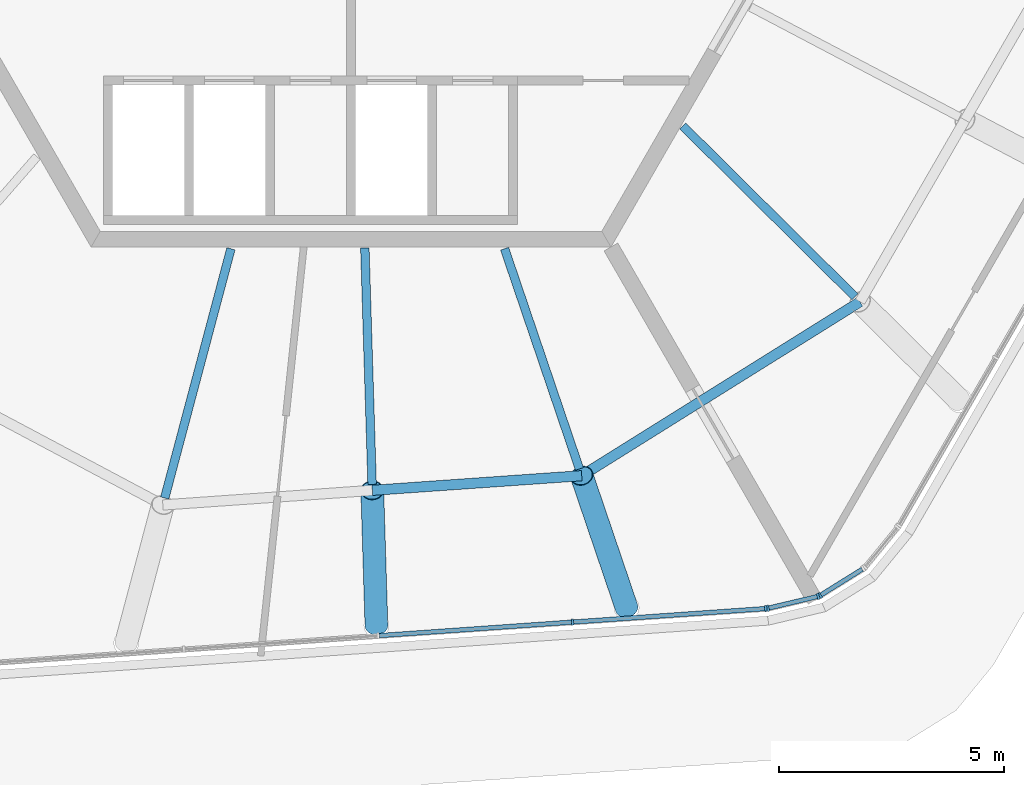
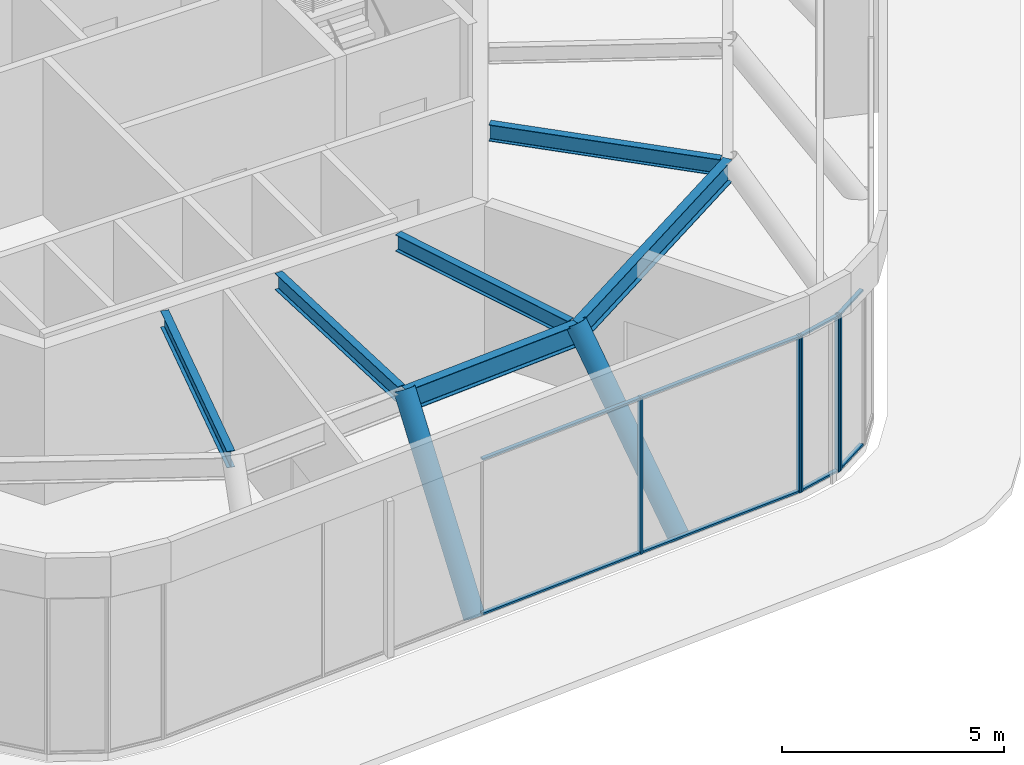
# One storey, part 2 of 12: 15 members, 6 beams, 3 elements without a shape of their own.
"""IFC4 building model written with IfcOpenShell, lengths in metres."""

from ifc_helpers import new_model, si_unit, direction, frame, origin, origin_2d, place, context, subcontext, project, spatial, rectangle, hollow_circle, i_section, extrude, material, material_profile, profile_set, type_object, element, aggregate, save


model = new_model("IFC4")

# Units and contexts
model_context = context("Model", 3, precision=1e-05, world=origin(), true_north=direction((0.0, 1.0)))
body_context = subcontext(model_context, "Body", "Model", "MODEL_VIEW")
ifc_project = project(units=[si_unit("LENGTHUNIT", "METRE"), si_unit("AREAUNIT", "SQUARE_METRE"), si_unit("VOLUMEUNIT", "CUBIC_METRE"), si_unit("PLANEANGLEUNIT", "RADIAN"), si_unit("MASSUNIT", "GRAM", prefix="KILO")], contexts=[model_context])

# Site, building, storey
site_placement = place(None, origin())
site = spatial("IfcSite", under=ifc_project, at=site_placement, CompositionType="ELEMENT")
building_placement = place(site_placement, origin())
building = spatial("IfcBuilding", under=site, at=building_placement, Name="Tarnside Tower", CompositionType="ELEMENT")
storey_placement = place(building_placement, frame((0.0, 0.0, 392.699951171875)))
storey = spatial("IfcBuildingStorey", under=building, at=storey_placement, Name="L93", CompositionType="ELEMENT", Elevation=392.699951171875)

# Curtain wall, member
ifc_material_1 = material(Name="Crown glazing wall", Category="glass")
curtain_wall_type = type_object("IfcCurtainWallType", Name="Crown glazing wall", PredefinedType="NOTDEFINED", material=ifc_material_1)
curtain_wall_1_placement = place(storey_placement, origin())
curtain_wall_1 = element("IfcCurtainWall", 1, at=curtain_wall_1_placement, inside=storey, type_object=curtain_wall_type, Name="Crown glazing L93 10", PredefinedType="NOTDEFINED")
ifc_material_2 = material(Name="Aluminium alloy 6063", Category="aluminium")
ifc_material_profile_1 = material_profile(ifc_material_2, rectangle(XDim=0.139892578125, YDim=0.050048828125, at=origin_2d()), Name="Crown glazing mullion 50 x 140")
ifc_profile_set_1 = profile_set([ifc_material_profile_1], Name="Aluminium alloy 6063")
member_type_1 = type_object("IfcMemberType", Name="Crown glazing mullion 50 x 140", PredefinedType="MULLION", material=ifc_profile_set_1)
member_1_placement = place(storey_placement, frame((10.421630859375, -17.74072265625, 0.0), z_axis=(0.0, 0.0, 1.0), x_axis=(0.5299192641, -0.84804809624, 0.0)))
member_1 = element("IfcMember", 2, at=member_1_placement, type_object=member_type_1, Name="CW6 mullion 2", PredefinedType="MULLION", context=body_context, shape_type="SweptSolid", body=[
    extrude(rectangle(XDim=0.139892578125, YDim=0.050048828125, at=origin_2d()), origin(), (0.0, 0.0, 1.0), 4.300048828125),
])

# Curtain wall, members
curtain_wall_2_placement = place(storey_placement, origin())
curtain_wall_2 = element("IfcCurtainWall", 3, at=curtain_wall_2_placement, inside=storey, type_object=curtain_wall_type, Name="Crown glazing L93 11", PredefinedType="NOTDEFINED")
member_2_placement = place(storey_placement, frame((10.3759765625, -17.759765625, 0.0), z_axis=(0.0, 0.0, 1.0), x_axis=(0.230615871195, -0.973044870472, 0.0)))
member_2 = element("IfcMember", 4, at=member_2_placement, type_object=member_type_1, Name="CW6 mullion 1", PredefinedType="MULLION", context=body_context, shape_type="SweptSolid", body=[
    extrude(rectangle(XDim=0.139892578125, YDim=0.050048828125, at=origin_2d()), origin(), (0.0, 0.0, 1.0), 4.300048828125),
])
member_3_placement = place(storey_placement, frame((9.26220703125, -18.023681640625, 0.0), z_axis=(0.0, 0.0, 1.0), x_axis=(0.230615871195, -0.973044870472, 0.0)))
member_3 = element("IfcMember", 5, at=member_3_placement, type_object=member_type_1, Name="CW6 mullion 2", PredefinedType="MULLION", context=body_context, shape_type="SweptSolid", body=[
    extrude(rectangle(XDim=0.139892578125, YDim=0.050048828125, at=origin_2d()), origin(), (0.0, 0.0, 1.0), 4.300048828125),
])

curtain_wall_3_placement = place(storey_placement, origin())
curtain_wall_3 = element("IfcCurtainWall", 6, at=curtain_wall_3_placement, inside=storey, type_object=curtain_wall_type, Name="Crown glazing L93 12", PredefinedType="NOTDEFINED")
member_4_placement = place(storey_placement, frame((9.212890625, -18.03125, 0.0), z_axis=(0.0, 0.0, 1.0), x_axis=(0.069756473727, -0.997564050261, 0.0)))
member_4 = element("IfcMember", 7, at=member_4_placement, type_object=member_type_1, Name="CW6 mullion 1", PredefinedType="MULLION", context=body_context, shape_type="SweptSolid", body=[
    extrude(rectangle(XDim=0.139892578125, YDim=0.050048828125, at=origin_2d()), origin(), (0.0, 0.0, 1.0), 4.300048828125),
])
member_5_placement = place(storey_placement, frame((4.9208984375, -18.331298828125, 0.0), z_axis=(0.0, 0.0, 1.0), x_axis=(0.069756473727, -0.997564050261, 0.0)))
member_5 = element("IfcMember", 8, at=member_5_placement, type_object=member_type_1, Name="CW6 mullion 2", PredefinedType="MULLION", context=body_context, shape_type="SweptSolid", body=[
    extrude(rectangle(XDim=0.139892578125, YDim=0.050048828125, at=origin_2d()), origin(), (0.0, 0.0, 1.0), 4.300048828125),
])

# Member
ifc_material_profile_2 = material_profile(ifc_material_2, rectangle(XDim=0.10009765625, YDim=0.050048828125, at=origin_2d()), Name="Crown glazing transom 50 x 100")
ifc_profile_set_2 = profile_set([ifc_material_profile_2], Name="Aluminium alloy 6063")
member_type_2 = type_object("IfcMemberType", Name="Crown glazing transom 50 x 100", PredefinedType="USERDEFINED", material=ifc_profile_set_2)
member_6_placement = place(storey_placement, frame((11.355712890625, -17.156982421875, 0.025146484375), z_axis=(-0.848049255398, -0.529917409055, 0.0), x_axis=(0.529917409055, -0.848049255398, 0.0)))
member_6 = element("IfcMember", 9, at=member_6_placement, type_object=member_type_2, Name="CW6 transom 1.1", ObjectType="TRANSOM", PredefinedType="USERDEFINED", context=body_context, shape_type="SweptSolid", body=[
    extrude(rectangle(XDim=0.10009765625, YDim=0.050048828125, at=origin_2d()), origin(), (0.0, 0.0, 1.0), 1.07666015625),
])

member_7_placement = place(storey_placement, frame((11.355712890625, -17.156982421875, 4.275146484375), z_axis=(-0.848049255398, -0.529917409055, 0.0), x_axis=(0.529917409055, -0.848049255398, 0.0)))
member_7 = element("IfcMember", 10, at=member_7_placement, type_object=member_type_2, Name="CW6 transom 1.2", ObjectType="TRANSOM", PredefinedType="USERDEFINED", context=body_context, shape_type="SweptSolid", body=[
    extrude(rectangle(XDim=0.10009765625, YDim=0.050048828125, at=origin_2d()), origin(), (0.0, 0.0, 1.0), 1.07666015625),
])

aggregate(curtain_wall_1, [member_1, member_6, member_7])

member_8_placement = place(storey_placement, frame((10.3515625, -17.765625, 0.025146484375), z_axis=(-0.97303550867, -0.230655368172, 0.0), x_axis=(0.230655368172, -0.97303550867, 0.0)))
member_8 = element("IfcMember", 11, at=member_8_placement, type_object=member_type_2, Name="CW6 transom 1.1", ObjectType="TRANSOM", PredefinedType="USERDEFINED", context=body_context, shape_type="SweptSolid", body=[
    extrude(rectangle(XDim=0.10009765625, YDim=0.050048828125, at=origin_2d()), origin(), (0.0, 0.0, 1.0), 1.094482421875),
])

member_9_placement = place(storey_placement, frame((10.3515625, -17.765625, 4.275146484375), z_axis=(-0.97303550867, -0.230655368172, 0.0), x_axis=(0.230655368172, -0.97303550867, 0.0)))
member_9 = element("IfcMember", 12, at=member_9_placement, type_object=member_type_2, Name="CW6 transom 1.2", ObjectType="TRANSOM", PredefinedType="USERDEFINED", context=body_context, shape_type="SweptSolid", body=[
    extrude(rectangle(XDim=0.10009765625, YDim=0.050048828125, at=origin_2d()), origin(), (0.0, 0.0, 1.0), 1.094482421875),
])

aggregate(curtain_wall_2, [member_2, member_3, member_8, member_9])

member_10_placement = place(storey_placement, frame((9.18798828125, -18.032958984375, 0.025146484375), z_axis=(-0.997564243152, -0.069753715207, 0.0), x_axis=(0.069753715207, -0.997564243152, 0.0)))
member_10 = element("IfcMember", 13, at=member_10_placement, type_object=member_type_2, Name="CW6 transom 1.1", ObjectType="TRANSOM", PredefinedType="USERDEFINED", context=body_context, shape_type="SweptSolid", body=[
    extrude(rectangle(XDim=0.10009765625, YDim=0.050048828125, at=origin_2d()), origin(), (0.0, 0.0, 1.0), 4.25244140625),
])

member_11_placement = place(storey_placement, frame((9.18798828125, -18.032958984375, 4.275146484375), z_axis=(-0.997564243152, -0.069753715207, 0.0), x_axis=(0.069753715207, -0.997564243152, 0.0)))
member_11 = element("IfcMember", 14, at=member_11_placement, type_object=member_type_2, Name="CW6 transom 1.2", ObjectType="TRANSOM", PredefinedType="USERDEFINED", context=body_context, shape_type="SweptSolid", body=[
    extrude(rectangle(XDim=0.10009765625, YDim=0.050048828125, at=origin_2d()), origin(), (0.0, 0.0, 1.0), 4.25244140625),
])

member_12_placement = place(storey_placement, frame((4.89599609375, -18.333251953125, 0.025146484375), z_axis=(-0.997564768363, -0.069746203624, 0.0), x_axis=(0.069746203624, -0.997564768363, 0.0)))
member_12 = element("IfcMember", 15, at=member_12_placement, type_object=member_type_2, Name="CW6 transom 2.1", ObjectType="TRANSOM", PredefinedType="USERDEFINED", context=body_context, shape_type="SweptSolid", body=[
    extrude(rectangle(XDim=0.10009765625, YDim=0.050048828125, at=origin_2d()), origin(), (0.0, 0.0, 1.0), 4.277587890625),
])

member_13_placement = place(storey_placement, frame((4.89599609375, -18.333251953125, 4.275146484375), z_axis=(-0.997564768363, -0.069746203624, 0.0), x_axis=(0.069746203624, -0.997564768363, 0.0)))
member_13 = element("IfcMember", 16, at=member_13_placement, type_object=member_type_2, Name="CW6 transom 2.2", ObjectType="TRANSOM", PredefinedType="USERDEFINED", context=body_context, shape_type="SweptSolid", body=[
    extrude(rectangle(XDim=0.10009765625, YDim=0.050048828125, at=origin_2d()), origin(), (0.0, 0.0, 1.0), 4.277587890625),
])

aggregate(curtain_wall_3, [member_4, member_5, member_10, member_11, member_12, member_13])

# Beams
ifc_material_3 = material(Name="Steel S355", Category="steel")
ifc_material_profile_3 = material_profile(ifc_material_3, i_section(OverallWidth=0.18994140625, OverallDepth=0.453369140625, WebThickness=0.008544921875, FlangeThickness=0.0126953125, FilletRadius=0.01025390625, at=origin_2d()), Name="UB 457x191x67")
ifc_profile_set_3 = profile_set([ifc_material_profile_3], Name="Steel S355")
beam_type_1 = type_object("IfcBeamType", Name="Floor beam UB 457x191x67", PredefinedType="BEAM", material=ifc_profile_set_3)
beam_1_placement = place(storey_placement, frame((-4.138916015625, -15.574951171875, 4.0732421875), z_axis=(0.256819024571, 0.966459512146, 0.0), x_axis=(-0.966459512146, 0.256819024571, 0.0)))
element("IfcBeam", 17, at=beam_1_placement, inside=storey, type_object=beam_type_1, Name="Floor beam RB10", PredefinedType="BEAM", context=body_context, shape_type="SweptSolid", body=[
    extrude(i_section(OverallWidth=0.18994140625, OverallDepth=0.453369140625, WebThickness=0.008544921875, FlangeThickness=0.0126953125, FilletRadius=0.01025390625, at=origin_2d()), origin(), (0.0, 0.0, 1.0), 5.728515625),
])
beam_2_placement = place(storey_placement, frame((0.46826171875, -15.270751953125, 4.0732421875), z_axis=(-0.030673243462, 0.999529465366, 0.0), x_axis=(-0.999529465366, -0.030673243462, 0.0)))
element("IfcBeam", 18, at=beam_2_placement, inside=storey, type_object=beam_type_1, Name="Floor beam RB11", PredefinedType="BEAM", context=body_context, shape_type="SweptSolid", body=[
    extrude(i_section(OverallWidth=0.18994140625, OverallDepth=0.453369140625, WebThickness=0.008544921875, FlangeThickness=0.0126953125, FilletRadius=0.01025390625, at=origin_2d()), origin(), (0.0, 0.0, 1.0), 5.253173828125),
])
beam_3_placement = place(storey_placement, frame((5.073974609375, -14.929931640625, 4.0732421875), z_axis=(-0.321779054613, 0.946814786541, 0.0), x_axis=(-0.946814786541, -0.321779054613, 0.0)))
element("IfcBeam", 19, at=beam_3_placement, inside=storey, type_object=beam_type_1, Name="Floor beam RB12", PredefinedType="BEAM", context=body_context, shape_type="SweptSolid", body=[
    extrude(i_section(OverallWidth=0.18994140625, OverallDepth=0.453369140625, WebThickness=0.008544921875, FlangeThickness=0.0126953125, FilletRadius=0.01025390625, at=origin_2d()), origin(), (0.0, 0.0, 1.0), 5.1669921875),
])
beam_4_placement = place(storey_placement, frame((11.194580078125, -11.105224609375, 4.0732421875), z_axis=(-0.709933772103, 0.704268442589, 0.0), x_axis=(-0.704268442589, -0.709933772103, 0.0)))
element("IfcBeam", 20, at=beam_4_placement, inside=storey, type_object=beam_type_1, Name="Floor beam RB13", PredefinedType="BEAM", context=body_context, shape_type="SweptSolid", body=[
    extrude(i_section(OverallWidth=0.18994140625, OverallDepth=0.453369140625, WebThickness=0.008544921875, FlangeThickness=0.0126953125, FilletRadius=0.01025390625, at=origin_2d()), origin(), (0.0, 0.0, 1.0), 5.38671875),
])
ifc_material_profile_4 = material_profile(ifc_material_3, i_section(OverallWidth=0.2275390625, OverallDepth=0.6025390625, WebThickness=0.010498046875, FlangeThickness=0.014892578125, FilletRadius=0.0126953125, at=origin_2d()), Name="UB 610x229x101")
ifc_profile_set_4 = profile_set([ifc_material_profile_4], Name="Steel S355")
beam_type_2 = type_object("IfcBeamType", Name="Floor beam UB 610x229x101", PredefinedType="BEAM", material=ifc_profile_set_4)
beam_5_placement = place(storey_placement, frame((0.472412109375, -15.404541015625, 3.998779296875), z_axis=(0.99756596355, 0.069729107024, 0.0), x_axis=(-0.069729107024, 0.99756596355, 0.0)))
element("IfcBeam", 21, at=beam_5_placement, inside=storey, type_object=beam_type_2, Name="Floor beam R11", PredefinedType="BEAM", context=body_context, shape_type="SweptSolid", body=[
    extrude(i_section(OverallWidth=0.2275390625, OverallDepth=0.6025390625, WebThickness=0.010498046875, FlangeThickness=0.014892578125, FilletRadius=0.0126953125, at=origin_2d()), origin(), (0.0, 0.0, 1.0), 4.66357421875),
])
beam_6_placement = place(storey_placement, frame((5.124755859375, -15.079345703125, 3.998779296875), z_axis=(0.848037814071, 0.529935718654, 0.0), x_axis=(-0.529935718654, 0.848037814071, 0.0)))
element("IfcBeam", 22, at=beam_6_placement, inside=storey, type_object=beam_type_2, Name="Floor beam R12", PredefinedType="BEAM", context=body_context, shape_type="SweptSolid", body=[
    extrude(i_section(OverallWidth=0.2275390625, OverallDepth=0.6025390625, WebThickness=0.010498046875, FlangeThickness=0.014892578125, FilletRadius=0.0126953125, at=origin_2d()), origin(), (0.0, 0.0, 1.0), 7.28955078125),
])

# Members
ifc_material_profile_5 = material_profile(ifc_material_3, hollow_circle(Radius=0.25390625, WallThickness=0.01611328125, at=origin_2d()), Name="CHS 508x16")
ifc_profile_set_5 = profile_set([ifc_material_profile_5], Name="Steel S355")
member_type_3 = type_object("IfcMemberType", Name="Truss diagonal CHS 508x16", PredefinedType="BRACE", material=ifc_profile_set_5)
member_14_placement = place(storey_placement, frame((0.564208984375, -18.405517578125, -0.199951171875), z_axis=(-0.016969104467, 0.554745298154, 0.831847163649), x_axis=(-0.99953248457, -0.030574700146, 0.0)))
element("IfcMember", 23, at=member_14_placement, inside=storey, type_object=member_type_3, Name="Crown leg L93 11", PredefinedType="BRACE", context=body_context, shape_type="SweptSolid", body=[
    extrude(hollow_circle(Radius=0.25390625, WallThickness=0.01611328125, at=origin_2d()), origin(), (0.0, 0.0, 1.0), 5.40966796875),
])
member_15_placement = place(storey_placement, frame((6.123046875, -18.016845703125, -0.199951171875), z_axis=(-0.182641571514, 0.5374280725, 0.82329406851), x_axis=(-0.946817823106, -0.321770119571, 0.0)))
element("IfcMember", 24, at=member_15_placement, inside=storey, type_object=member_type_3, Name="Crown leg L93 12", PredefinedType="BRACE", context=body_context, shape_type="SweptSolid", body=[
    extrude(hollow_circle(Radius=0.25390625, WallThickness=0.01611328125, at=origin_2d()), origin(), (0.0, 0.0, 1.0), 5.4658203125),
])

save(model, "model.ifc")
